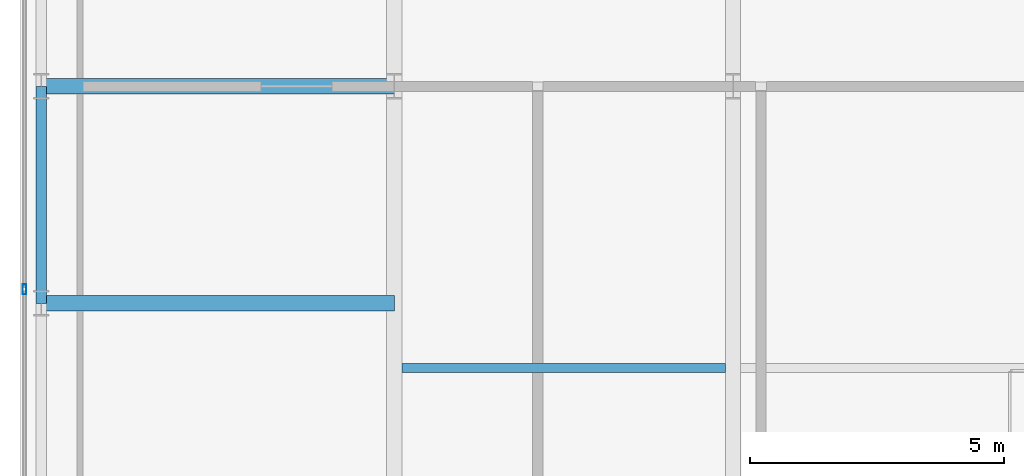
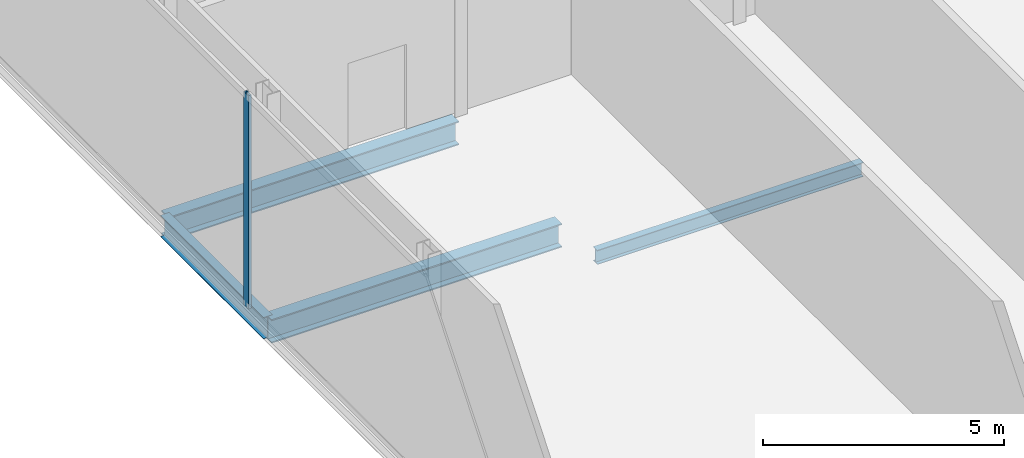
# One storey, part 8 of 23: 4 beams, 1 member, 1 element without a shape of its own.
"""IFC4 building model written with IfcOpenShell, lengths in metres."""

from ifc_helpers import new_model, si_unit, direction, frame, origin, origin_2d, place, context, subcontext, project, spatial, hollow_rectangle, i_section, extrude, material, material_profile, profile_set, type_object, element, aggregate, save


model = new_model("IFC4")

# Units and contexts
model_context = context("Model", 3, precision=1e-05, world=origin(), true_north=direction((0.0, 1.0)))
body_context = subcontext(model_context, "Body", "Model", "MODEL_VIEW")
ifc_project = project(units=[si_unit("LENGTHUNIT", "METRE"), si_unit("AREAUNIT", "SQUARE_METRE"), si_unit("VOLUMEUNIT", "CUBIC_METRE"), si_unit("PLANEANGLEUNIT", "RADIAN"), si_unit("MASSUNIT", "GRAM", prefix="KILO")], contexts=[model_context])

# Site, building, storey
site_placement = place(None, origin())
site = spatial("IfcSite", under=ifc_project, at=site_placement, CompositionType="ELEMENT")
building_placement = place(site_placement, origin())
building = spatial("IfcBuilding", under=site, at=building_placement, Name="Khoronbel Lancet Exchange", CompositionType="ELEMENT")
storey_placement = place(building_placement, frame((0.0, 0.0, 356.199951171875)))
storey = spatial("IfcBuildingStorey", under=building, at=storey_placement, Name="L92", CompositionType="ELEMENT", Elevation=356.199951171875)

# Beams
ifc_material_1 = material(Name="Steel S355", Category="steel")
ifc_material_profile_1 = material_profile(ifc_material_1, i_section(OverallWidth=0.300048828125, OverallDepth=0.60009765625, WebThickness=0.015380859375, FlangeThickness=0.030029296875, at=origin_2d()), Name="HEB 600")
ifc_profile_set_1 = profile_set([ifc_material_profile_1], Name="Steel S355")
beam_type_1 = type_object("IfcBeamType", Name="BM-BG5", PredefinedType="BEAM", material=ifc_profile_set_1)
for number, where, z_axis, x_axis, name in (
    (1, (11.27001953125, 31.425048828125, -0.5), (1.0, 0.0, 0.0), (0.0, 1.0, 0.0), "Level L92 west lens tie girder LG2W"),
    (2, (11.27001953125, 35.699951171875, -0.5), (1.0, 0.0, 0.0), (0.0, 1.0, 0.0), "Level L92 west lens tie girder LG4W"),
):
    element("IfcBeam", number, at=place(storey_placement, frame(where, z_axis=z_axis, x_axis=x_axis)), inside=storey, type_object=beam_type_1, Name=name, PredefinedType="BEAM", context=body_context, shape_type="SweptSolid", body=[
        extrude(i_section(OverallWidth=0.300048828125, OverallDepth=0.60009765625, WebThickness=0.015380859375, FlangeThickness=0.030029296875, at=origin_2d()), origin(), (0.0, 0.0, 1.0), 6.955078125),
    ])
ifc_material_profile_2 = material_profile(ifc_material_1, i_section(OverallWidth=0.169921875, OverallDepth=0.360107421875, WebThickness=0.008056640625, FlangeThickness=0.0126953125, at=origin_2d()), Name="IPE 360")
ifc_profile_set_2 = profile_set([ifc_material_profile_2], Name="Steel S355")
beam_type_2 = type_object("IfcBeamType", Name="BM-BJ6", PredefinedType="JOIST", material=ifc_profile_set_2)
beam_1_placement = place(storey_placement, frame((18.375, 30.14990234375, -0.3798828125), z_axis=(1.0, 0.0, 0.0), x_axis=(0.0, 1.0, 0.0)))
element("IfcBeam", 3, at=beam_1_placement, inside=storey, type_object=beam_type_2, Name="Level L92 secondary composite joist J07", PredefinedType="JOIST", context=body_context, shape_type="SweptSolid", body=[
    extrude(i_section(OverallWidth=0.169921875, OverallDepth=0.360107421875, WebThickness=0.008056640625, FlangeThickness=0.0126953125, at=origin_2d()), origin(), (0.0, 0.0, 1.0), 6.375),
])
ifc_material_profile_3 = material_profile(ifc_material_1, i_section(OverallWidth=0.2099609375, OverallDepth=0.550048828125, WebThickness=0.010986328125, FlangeThickness=0.01708984375, at=origin_2d()), Name="IPE 550")
ifc_profile_set_3 = profile_set([ifc_material_profile_3], Name="Steel S355")
beam_type_3 = type_object("IfcBeamType", Name="BM-BSP3", PredefinedType="SPANDREL", material=ifc_profile_set_3)
beam_2_placement = place(storey_placement, frame((11.27001953125, 35.699951171875, -0.474853515625), z_axis=(0.0, -1.0, 0.0), x_axis=(1.0, 0.0, 0.0)))
element("IfcBeam", 4, at=beam_2_placement, inside=storey, type_object=beam_type_3, Name="Level L92 perimeter spandrel beam SP16", PredefinedType="SPANDREL", context=body_context, shape_type="SweptSolid", body=[
    extrude(i_section(OverallWidth=0.2099609375, OverallDepth=0.550048828125, WebThickness=0.010986328125, FlangeThickness=0.01708984375, at=origin_2d()), origin(), (0.0, 0.0, 1.0), 4.27490234375),
])

# Curtain wall, member
ifc_material_2 = material(Name="Low-E Solar Control Insulating Glass", Category="glass")
curtain_wall_type = type_object("IfcCurtainWallType", Name="CW-6", PredefinedType="NOTDEFINED", material=ifc_material_2)
curtain_wall_placement = place(storey_placement, origin())
curtain_wall = element("IfcCurtainWall", 5, at=curtain_wall_placement, inside=storey, type_object=curtain_wall_type, Name="Unitised curtain wall CW-L92-E03", PredefinedType="NOTDEFINED")
ifc_material_3 = material(Name="Bronze-Anodised Aluminium 6063-T6", Category="aluminium")
ifc_material_profile_4 = material_profile(ifc_material_3, hollow_rectangle(XDim=0.074951171875, YDim=0.199951171875, WallThickness=0.0048828125, at=origin_2d()), Name="ALU MULLION 75x200")
ifc_profile_set_4 = profile_set([ifc_material_profile_4], Name="Bronze-Anodised Aluminium 6063-T6")
member_type = type_object("IfcMemberType", Name="MEM-CWM2", PredefinedType="MULLION", material=ifc_profile_set_4)
member_placement = place(storey_placement, frame((10.93994140625, 31.699951171875, 0.0), z_axis=(0.0, 0.0, 1.0), x_axis=(-1.0, 0.0, 0.0)))
member = element("IfcMember", 6, at=member_placement, type_object=member_type, Name="CW6 mullion 2", PredefinedType="MULLION", context=body_context, shape_type="SweptSolid", body=[
    extrude(hollow_rectangle(XDim=0.074951171875, YDim=0.199951171875, WallThickness=0.0048828125, at=origin_2d()), origin(), (0.0, 0.0, 1.0), 5.400146484375),
])
aggregate(curtain_wall, [member])

save(model, "model.ifc")
